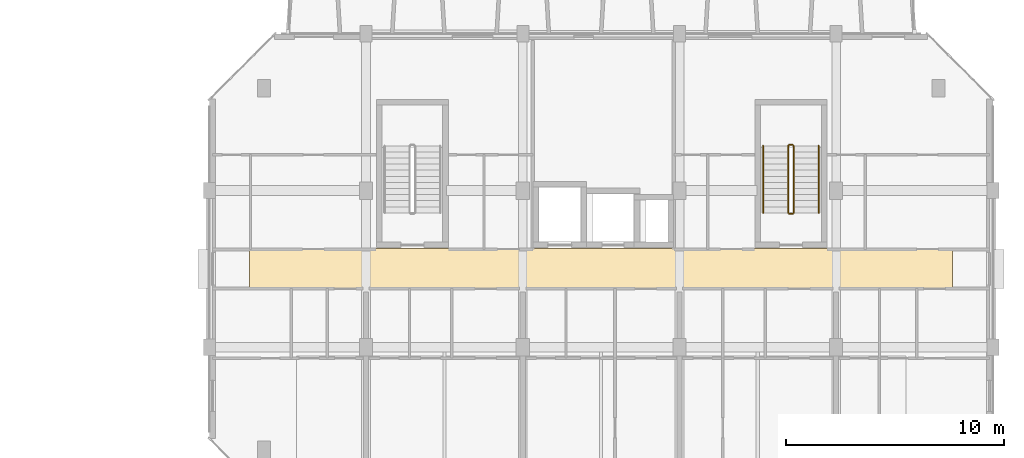
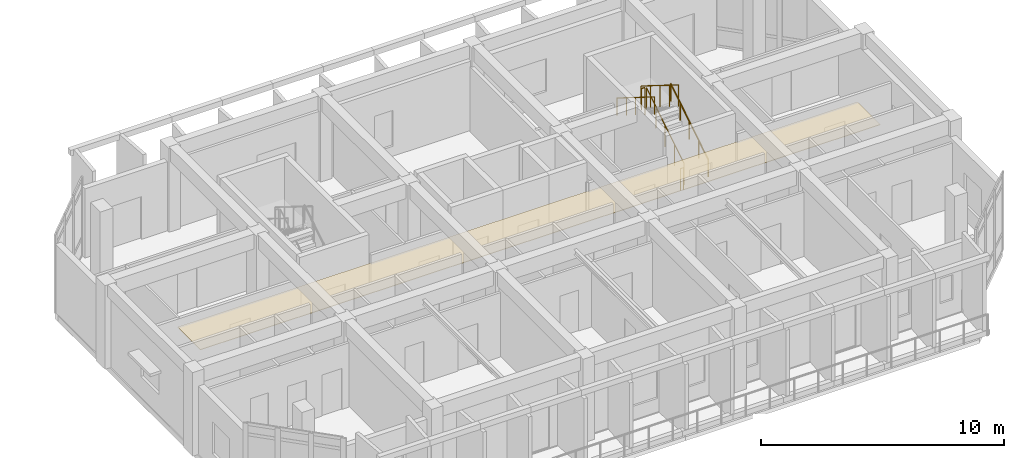
# One storey, part 80 of 85: 6 railings, 1 covering.
"""IFC4 building model written with IfcOpenShell, lengths in metres."""

from ifc_helpers import new_model, si_unit, direction, frame, origin, origin_2d, place, context, subcontext, project, spatial, polyline, circle, outline, extrude, material, layer, layer_set, type_object, element, save


model = new_model("IFC4")

# Units and contexts
model_context = context("Model", 3, precision=1e-05, world=origin(), true_north=direction((0.0, 1.0)))
body_context = subcontext(model_context, "Body", "Model", "MODEL_VIEW")
ifc_project = project(units=[si_unit("LENGTHUNIT", "METRE"), si_unit("AREAUNIT", "SQUARE_METRE"), si_unit("VOLUMEUNIT", "CUBIC_METRE"), si_unit("PLANEANGLEUNIT", "RADIAN"), si_unit("MASSUNIT", "GRAM", prefix="KILO")], contexts=[model_context])

# Site, building, storey
site_placement = place(None, origin())
site = spatial("IfcSite", under=ifc_project, at=site_placement, CompositionType="ELEMENT")
building_placement = place(site_placement, origin())
building = spatial("IfcBuilding", under=site, at=building_placement, Name="Ochrevale Crest", CompositionType="ELEMENT")
storey_placement = place(building_placement, frame((0.0, 0.0, 4.5)))
storey = spatial("IfcBuildingStorey", under=building, at=storey_placement, Name="L01", CompositionType="ELEMENT", Elevation=4.5)

# Covering
ifc_material_1 = material(Name="Gypsum plasterboard", Category="gypsum")
ifc_layer = layer(ifc_material_1, 0.02490234375)
ifc_layer_set = layer_set([ifc_layer], Name="Gypsum plasterboard")
covering_type = type_object("IfcCoveringType", Name="COV-CEIL-GYP", PredefinedType="CEILING", material=ifc_layer_set)
covering_placement = place(storey_placement, frame((0.0, 0.0, 2.75)))
element("IfcCovering", 1, at=covering_placement, inside=storey, type_object=covering_type, Name="Block C L01 acoustic corridor ceiling", PredefinedType="CEILING", context=body_context, shape_type="SweptSolid", body=[
    extrude(outline(polyline([(131.449951171875, 24.260009765625), (163.75, 24.260009765625), (163.75, 26.139892578125), (131.449951171875, 26.139892578125), (131.449951171875, 24.260009765625)])), origin(), (0.0, 0.0, 1.0), 0.02490234375),
])

# Railings
ifc_material_2 = material(Name="Galvanised steel", Category="steel")
railing_type_1 = type_object("IfcRailingType", Name="RL-ST-GUARD", PredefinedType="BALUSTRADE", material=ifc_material_2)
railing_1_placement = place(storey_placement, frame((156.449951171875, 27.77490234375, 0.175048828125)))
element("IfcRailing", 2, at=railing_1_placement, inside=storey, type_object=railing_type_1, Name="L01 ST-C2 stair guard 1", PredefinedType="BALUSTRADE", context=body_context, shape_type="SweptSolid", body=[
    extrude(circle(Radius=0.02392578125, at=origin_2d()), frame((0.0, 0.0, 1.076171875), z_axis=(0.0, 0.847998304005, 0.529998940003), x_axis=(-1.0, 0.0, 0.0)), (0.0, 0.0, 1.0), 3.632080078125),
    extrude(circle(Radius=0.02099609375, at=origin_2d()), origin(), (0.0, 0.0, 1.0), 1.052001953125),
    extrude(circle(Radius=0.02099609375, at=origin_2d()), frame((0.0, 0.77001953125, 0.481201171875)), (0.0, 0.0, 1.0), 1.052001953125),
    extrude(circle(Radius=0.02099609375, at=origin_2d()), frame((0.0, 1.5400390625, 0.96240234375)), (0.0, 0.0, 1.0), 1.052001953125),
    extrude(circle(Radius=0.02099609375, at=origin_2d()), frame((0.0, 2.31005859375, 1.44384765625)), (0.0, 0.0, 1.0), 1.052001953125),
    extrude(circle(Radius=0.02099609375, at=origin_2d()), frame((0.0, 3.080078125, 1.925048828125)), (0.0, 0.0, 1.0), 1.052001953125),
])
railing_2_placement = place(storey_placement, frame((156.39990234375, 30.905029296875, 2.10009765625)))
element("IfcRailing", 3, at=railing_2_placement, inside=storey, type_object=railing_type_1, Name="L01 ST-C2 stair guard 2", PredefinedType="BALUSTRADE", context=body_context, shape_type="SweptSolid", body=[
    extrude(circle(Radius=0.02392578125, at=origin_2d()), frame((0.0, 0.0, 1.076171875), z_axis=(-1.0, 0.0, 0.0), x_axis=(0.0, -1.0, 0.0)), (0.0, 0.0, 1.0), 0.14990234375),
    extrude(circle(Radius=0.02099609375, at=origin_2d()), origin(), (0.0, 0.0, 1.0), 1.052001953125),
    extrude(circle(Radius=0.02099609375, at=origin_2d()), frame((-0.14990234375, 0.0, 0.0)), (0.0, 0.0, 1.0), 1.052001953125),
])
railing_3_placement = place(storey_placement, frame((156.199951171875, 30.85498046875, 2.27490234375)))
element("IfcRailing", 4, at=railing_3_placement, inside=storey, type_object=railing_type_1, Name="L01 ST-C2 stair guard 3", PredefinedType="BALUSTRADE", context=body_context, shape_type="SweptSolid", body=[
    extrude(circle(Radius=0.02392578125, at=origin_2d()), frame((0.0, 0.0, 1.076171875), z_axis=(0.0, -0.847998304005, 0.529998940003), x_axis=(1.0, 0.0, 0.0)), (0.0, 0.0, 1.0), 3.632080078125),
    extrude(circle(Radius=0.02099609375, at=origin_2d()), origin(), (0.0, 0.0, 1.0), 1.052001953125),
    extrude(circle(Radius=0.02099609375, at=origin_2d()), frame((0.0, -0.77001953125, 0.481201171875)), (0.0, 0.0, 1.0), 1.052001953125),
    extrude(circle(Radius=0.02099609375, at=origin_2d()), frame((0.0, -1.5400390625, 0.96240234375)), (0.0, 0.0, 1.0), 1.052001953125),
    extrude(circle(Radius=0.02099609375, at=origin_2d()), frame((0.0, -2.31005859375, 1.44384765625)), (0.0, 0.0, 1.0), 1.052001953125),
    extrude(circle(Radius=0.02099609375, at=origin_2d()), frame((0.0, -3.080078125, 1.925048828125)), (0.0, 0.0, 1.0), 1.052001953125),
])
railing_4_placement = place(storey_placement, frame((156.39990234375, 27.72509765625, 0.0)))
element("IfcRailing", 5, at=railing_4_placement, inside=storey, type_object=railing_type_1, Name="L01 ST-C2 stair guard 4", PredefinedType="BALUSTRADE", context=body_context, shape_type="SweptSolid", body=[
    extrude(circle(Radius=0.02392578125, at=origin_2d()), frame((0.0, 0.0, 1.076171875), z_axis=(-1.0, 0.0, 0.0), x_axis=(0.0, -1.0, 0.0)), (0.0, 0.0, 1.0), 0.14990234375),
    extrude(circle(Radius=0.02099609375, at=origin_2d()), origin(), (0.0, 0.0, 1.0), 1.052001953125),
    extrude(circle(Radius=0.02099609375, at=origin_2d()), frame((-0.14990234375, 0.0, 0.0)), (0.0, 0.0, 1.0), 1.052001953125),
])
ifc_material_3 = material(Name="Stainless steel", Category="steel")
railing_type_2 = type_object("IfcRailingType", Name="RL-ST-HRAIL", PredefinedType="HANDRAIL", material=ifc_material_3)
railing_5_placement = place(storey_placement, frame((157.60009765625, 27.77490234375, 0.175048828125)))
element("IfcRailing", 6, at=railing_5_placement, inside=storey, type_object=railing_type_2, Name="L01 ST-C2 stair handrail 1", PredefinedType="HANDRAIL", context=body_context, shape_type="SweptSolid", body=[
    extrude(circle(Radius=0.02392578125, at=origin_2d()), frame((0.0, 0.0, 0.8759765625), z_axis=(0.0, 0.847998304005, 0.529998940003), x_axis=(-1.0, 0.0, 0.0)), (0.0, 0.0, 1.0), 3.632080078125),
    extrude(circle(Radius=0.02099609375, at=origin_2d()), origin(), (0.0, 0.0, 1.0), 0.851806640625),
    extrude(circle(Radius=0.02099609375, at=origin_2d()), frame((0.0, 0.77001953125, 0.481201171875)), (0.0, 0.0, 1.0), 0.851806640625),
    extrude(circle(Radius=0.02099609375, at=origin_2d()), frame((0.0, 1.5400390625, 0.96240234375)), (0.0, 0.0, 1.0), 0.851806640625),
    extrude(circle(Radius=0.02099609375, at=origin_2d()), frame((0.0, 2.31005859375, 1.44384765625)), (0.0, 0.0, 1.0), 0.851806640625),
    extrude(circle(Radius=0.02099609375, at=origin_2d()), frame((0.0, 3.080078125, 1.925048828125)), (0.0, 0.0, 1.0), 0.851806640625),
])
railing_6_placement = place(storey_placement, frame((155.050048828125, 30.85498046875, 2.27490234375)))
element("IfcRailing", 7, at=railing_6_placement, inside=storey, type_object=railing_type_2, Name="L01 ST-C2 stair handrail 2", PredefinedType="HANDRAIL", context=body_context, shape_type="SweptSolid", body=[
    extrude(circle(Radius=0.02392578125, at=origin_2d()), frame((0.0, 0.0, 0.8759765625), z_axis=(0.0, -0.847998304005, 0.529998940003), x_axis=(1.0, 0.0, 0.0)), (0.0, 0.0, 1.0), 3.632080078125),
    extrude(circle(Radius=0.02099609375, at=origin_2d()), origin(), (0.0, 0.0, 1.0), 0.851806640625),
    extrude(circle(Radius=0.02099609375, at=origin_2d()), frame((0.0, -0.77001953125, 0.481201171875)), (0.0, 0.0, 1.0), 0.851806640625),
    extrude(circle(Radius=0.02099609375, at=origin_2d()), frame((0.0, -1.5400390625, 0.96240234375)), (0.0, 0.0, 1.0), 0.851806640625),
    extrude(circle(Radius=0.02099609375, at=origin_2d()), frame((0.0, -2.31005859375, 1.44384765625)), (0.0, 0.0, 1.0), 0.851806640625),
    extrude(circle(Radius=0.02099609375, at=origin_2d()), frame((0.0, -3.080078125, 1.925048828125)), (0.0, 0.0, 1.0), 0.851806640625),
])

save(model, "model.ifc")
